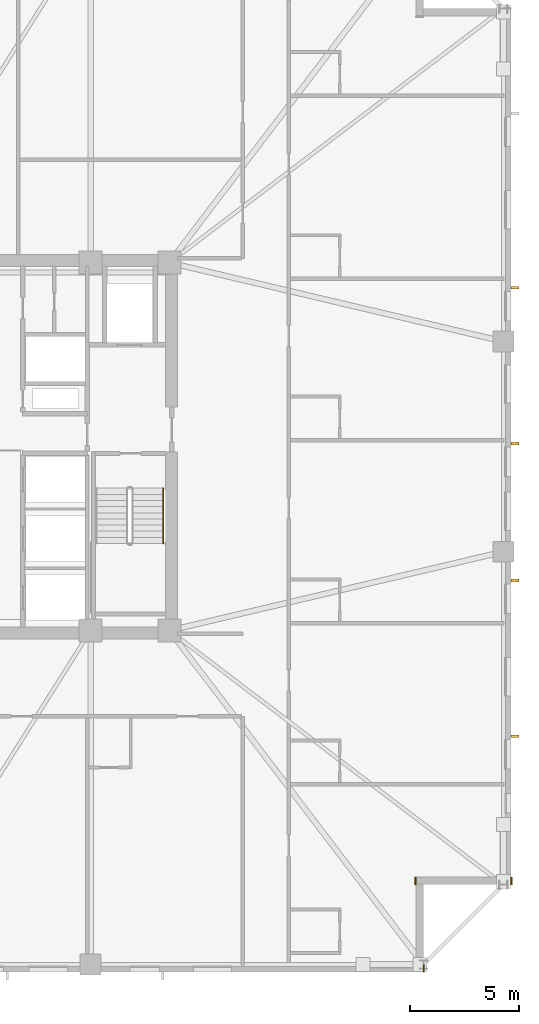
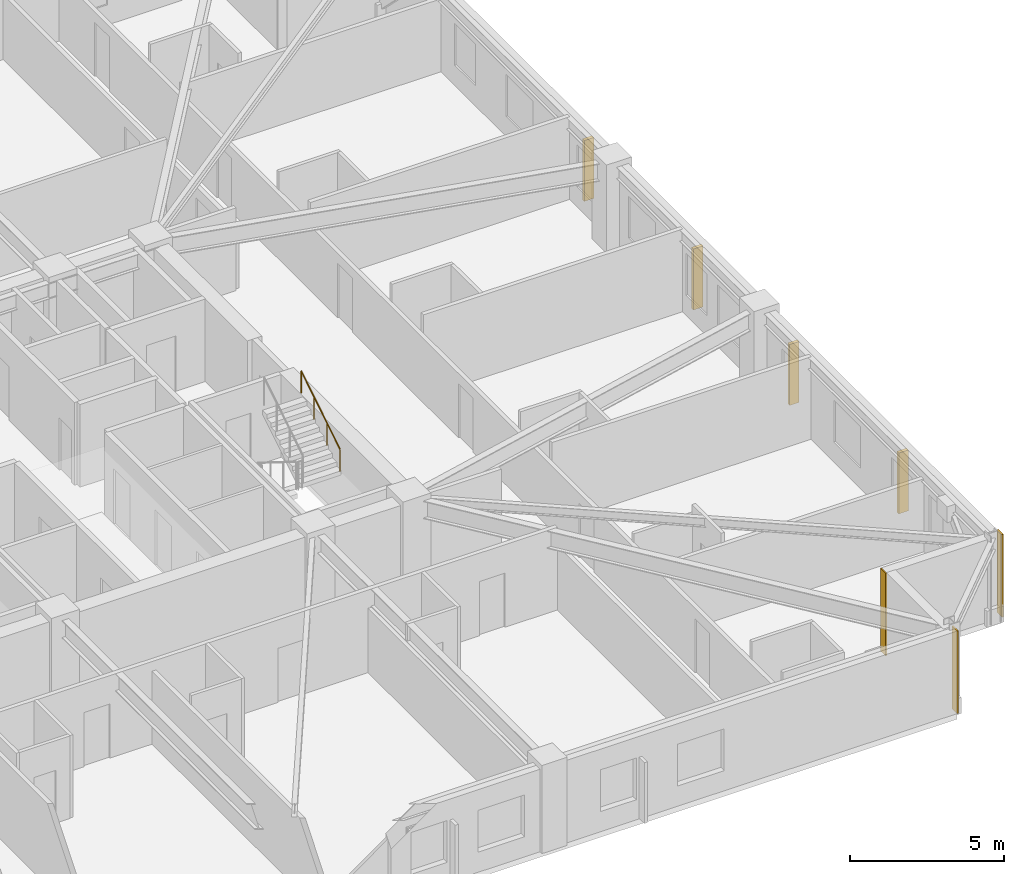
# One storey, part 9 of 11: 4 shading devices, 3 coverings, 1 railing.
"""IFC4 building model written with IfcOpenShell, lengths in metres."""

from ifc_helpers import new_model, si_unit, direction, frame, frame_2d, origin, origin_2d, place, context, subcontext, project, spatial, rectangle, circle, extrude, material, layer, layer_set, type_object, element, save


model = new_model("IFC4")

# Units and contexts
model_context = context("Model", 3, precision=1e-05, world=origin(), true_north=direction((0.0, 1.0)))
body_context = subcontext(model_context, "Body", "Model", "MODEL_VIEW")
ifc_project = project(units=[si_unit("LENGTHUNIT", "METRE"), si_unit("AREAUNIT", "SQUARE_METRE"), si_unit("VOLUMEUNIT", "CUBIC_METRE"), si_unit("PLANEANGLEUNIT", "RADIAN"), si_unit("MASSUNIT", "GRAM", prefix="KILO")], contexts=[model_context])

# Site, building, storey
site_placement = place(None, origin())
site = spatial("IfcSite", under=ifc_project, at=site_placement, CompositionType="ELEMENT")
building_placement = place(site_placement, origin())
building = spatial("IfcBuilding", under=site, at=building_placement, Name="Cairnveth Concourse Tower", CompositionType="ELEMENT")
storey_placement = place(building_placement, frame((0.0, 0.0, 127.0)))
storey = spatial("IfcBuildingStorey", under=building, at=storey_placement, Name="L34", CompositionType="ELEMENT", Elevation=127.0)

# Coverings
ifc_material_1 = material(Name="Dressed Melbourne Bluestone Cladding", Category="masonry")
ifc_layer = layer(ifc_material_1, 0.050048828125)
ifc_layer_set = layer_set([ifc_layer], Name="Dressed Melbourne Bluestone Cladding")
covering_type = type_object("IfcCoveringType", Name="DRESSED BLUESTONE PLINTH CLADDING 50", PredefinedType="CLADDING", material=ifc_layer_set)
for number, where, z_axis, x_axis, name in (
    (1, (76.02001953125, 19.340087890625, 0.0), (0.0, 0.0, 1.0), (0.0, -1.0, 0.0), "Melbourne Bluestone Corner Quoin L34-490"),
    (2, (71.639892578125, 19.340087890625, 0.0), (0.0, 0.0, 1.0), (0.0, -1.0, 0.0), "Melbourne Bluestone Corner Quoin L34-491"),
    (3, (72.02001953125, 15.340087890625, 0.0), (0.0, 0.0, 1.0), (0.0, -1.0, 0.0), "Melbourne Bluestone Corner Quoin L34-492"),
):
    element("IfcCovering", number, at=place(storey_placement, frame(where, z_axis=z_axis, x_axis=x_axis)), inside=storey, type_object=covering_type, Name=name, PredefinedType="CLADDING", context=body_context, shape_type="SweptSolid", body=[
        extrude(rectangle(XDim=0.340087890625, YDim=0.050048828125, at=frame_2d((0.169921875, 0.0))), origin(), (0.0, 0.0, 1.0), 3.280029296875),
    ])

# Shading devices
ifc_material_2 = material(Name="Architectural Bronze Anodised Aluminium 6063-T6", Category="aluminium")
shading_device_type = type_object("IfcShadingDeviceType", Name="GOTHIC BRONZE VERTICAL LANCET FIN", PredefinedType="USERDEFINED", material=ifc_material_2)
for number, where, z_axis, x_axis, name in (
    (4, (76.175048828125, 46.251220703125, 0.030029296875), (0.0, 0.0, 1.0), (0.0, 1.0, 0.0), "Gothic Bronze Vertical Fin L34-6-3"),
    (5, (76.175048828125, 39.14404296875, 0.030029296875), (0.0, 0.0, 1.0), (0.0, 1.0, 0.0), "Gothic Bronze Vertical Fin L34-6-5"),
    (6, (76.175048828125, 32.886962890625, 0.030029296875), (0.0, 0.0, 1.0), (0.0, 1.0, 0.0), "Gothic Bronze Vertical Fin L34-6-7"),
    (7, (76.175048828125, 25.77978515625, 0.030029296875), (0.0, 0.0, 1.0), (0.0, 1.0, 0.0), "Gothic Bronze Vertical Fin L34-6-9"),
):
    element("IfcShadingDevice", number, at=place(storey_placement, frame(where, z_axis=z_axis, x_axis=x_axis)), inside=storey, type_object=shading_device_type, Name=name, ObjectType="VERTICAL FIN", PredefinedType="USERDEFINED", context=body_context, shape_type="SweptSolid", body=[
        extrude(rectangle(XDim=0.1201171875, YDim=0.360107421875, at=origin_2d()), origin(), (0.0, 0.0, 1.0), 2.419921875),
    ])

# Railing
ifc_material_3 = material(Name="Steel Grade 350", Category="steel")
railing_type = type_object("IfcRailingType", Name="STAIR WALL HANDRAIL 900", PredefinedType="HANDRAIL", material=ifc_material_3)
railing_placement = place(storey_placement, frame((60.110107421875, 34.580078125, 1.925048828125)))
element("IfcRailing", 8, at=railing_placement, inside=storey, type_object=railing_type, Name="L34 ST-2 stair handrail 2", PredefinedType="HANDRAIL", context=body_context, shape_type="SweptSolid", body=[
    extrude(circle(Radius=0.02392578125, at=origin_2d()), frame((0.0, 0.0, 0.8759765625), z_axis=(0.0, 0.848007534815, 0.529984170421), x_axis=(-1.0, 0.0, 0.0)), (0.0, 0.0, 1.0), 2.9716796875),
    extrude(circle(Radius=0.02099609375, at=origin_2d()), origin(), (0.0, 0.0, 1.0), 0.851806640625),
    extrude(circle(Radius=0.02099609375, at=origin_2d()), frame((0.0, 0.840087890625, 0.52490234375)), (0.0, 0.0, 1.0), 0.851806640625),
    extrude(circle(Radius=0.02099609375, at=origin_2d()), frame((0.0, 1.679931640625, 1.050048828125)), (0.0, 0.0, 1.0), 0.851806640625),
    extrude(circle(Radius=0.02099609375, at=origin_2d()), frame((0.0, 2.52001953125, 1.574951171875)), (0.0, 0.0, 1.0), 0.851806640625),
])

save(model, "model.ifc")
